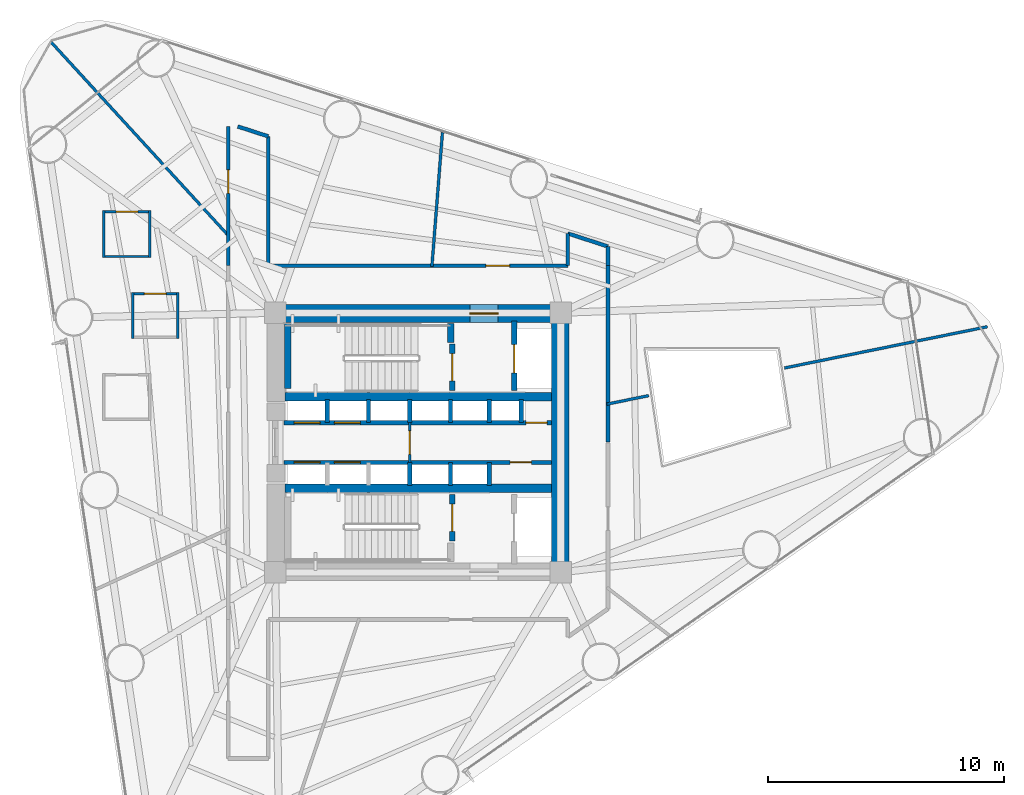
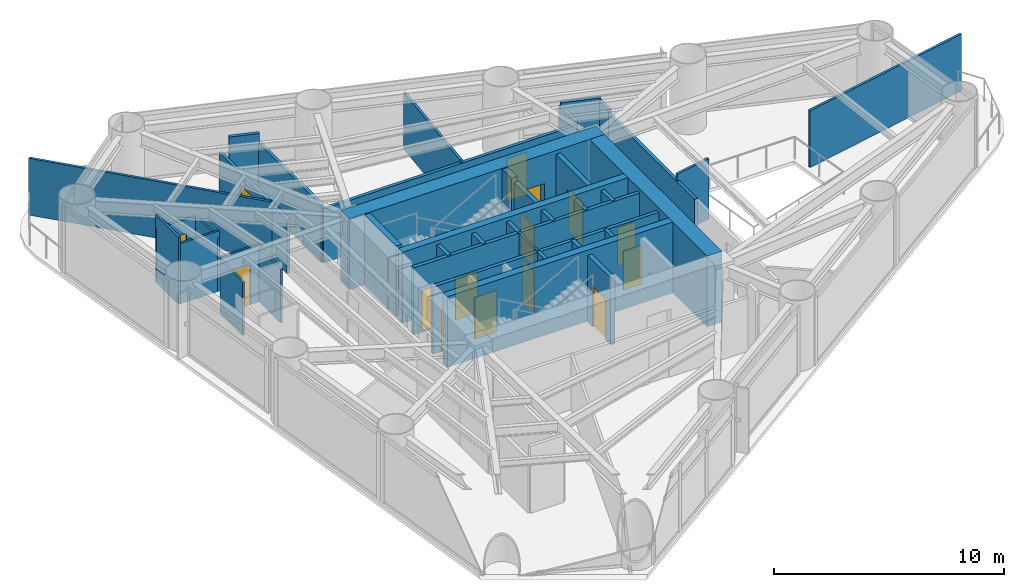
# One storey, part 6 of 9: 40 walls, 15 doors, 15 openings.
"""IFC4 building model written with IfcOpenShell, lengths in metres."""

import ifcopenshell
import ifcopenshell.guid

model = None  # the IFC model being written
_history = None  # IfcOwnerHistory: only IFC2X3 demands one
_inside = {}  # id of a spatial element -> (the spatial element, [elements in it])
_under = {}  # id of a project, library or spatial element -> (it, [spatial elements below it])
_declared = {}  # id of a project -> (the project, [libraries it declares])
_typed = {}  # id of a type object -> (the type object, [elements of that type])
_made_of = {}  # id of a material, layer set ... -> (it, [elements and type objects made of it])


def new_model(schema):
    """Start an empty IFC model of exactly this schema.

    Asked for "IFC4X3", IfcOpenShell would pick the latest addendum, in which some entities
    have other attributes; the version numbers below select the first issue.
    IFC2X3 requires an IfcOwnerHistory on every rooted entity: one is made here for all.
    """
    global model, _history
    if schema == "IFC4X3":
        model = ifcopenshell.file(schema_version=(4, 3, 0, 0))
    else:
        model = ifcopenshell.file(schema=schema)
    _inside.clear()
    _under.clear()
    _declared.clear()
    _typed.clear()
    _made_of.clear()
    _history = None
    if model.schema == "IFC2X3":
        org = make("IfcOrganization", Name="unknown")
        user = make(
            "IfcPersonAndOrganization",
            ThePerson=make("IfcPerson", FamilyName="unknown"),
            TheOrganization=org,
        )
        app = make(
            "IfcApplication",
            ApplicationDeveloper=org,
            Version="unknown",
            ApplicationFullName="unknown",
            ApplicationIdentifier="unknown",
        )
        _history = make(
            "IfcOwnerHistory",
            OwningUser=user,
            OwningApplication=app,
            ChangeAction="ADDED",
            CreationDate=0,
        )
    return model


def make(cls, **values):
    """One entity of the class cls with the attributes given. An attribute that is None is left unset."""
    return model.create_entity(
        cls, **{name: value for name, value in values.items() if value is not None}
    )


def rooted(cls, **values):
    """An entity with a GlobalId (a new one), such as an element, a storey or a relation."""
    return make(cls, GlobalId=ifcopenshell.guid.new(), OwnerHistory=_history, **values)


def si_unit(unit_type, name, prefix=None):
    """IfcSIUnit, for example si_unit("LENGTHUNIT", "METRE", prefix="MILLI")."""
    return make("IfcSIUnit", UnitType=unit_type, Prefix=prefix, Name=name)


def assignment(units):
    """IfcUnitAssignment: the units of a project."""
    return None if units is None else make("IfcUnitAssignment", Units=units)


def point(xyz):
    """IfcCartesianPoint."""
    return None if xyz is None else make("IfcCartesianPoint", Coordinates=xyz)


def direction(xyz):
    """IfcDirection."""
    return None if xyz is None else make("IfcDirection", DirectionRatios=xyz)


def frame(location, z_axis=None, x_axis=None):
    """IfcAxis2Placement3D, a coordinate frame: its origin and axes. An axis left out is left unset."""
    return make(
        "IfcAxis2Placement3D",
        Location=point(location),
        Axis=direction(z_axis),
        RefDirection=direction(x_axis),
    )


def frame_2d(location, x_axis=None):
    """IfcAxis2Placement2D, a coordinate frame in the plane: its origin and x axis."""
    return make(
        "IfcAxis2Placement2D", Location=point(location), RefDirection=direction(x_axis)
    )


def origin():
    """The frame at (0, 0, 0) with its axes left unset."""
    return frame((0.0, 0.0, 0.0))


def place(relative_to, where):
    """IfcLocalPlacement: puts the frame where relative to a parent placement (None: the world)."""
    return make(
        "IfcLocalPlacement", PlacementRelTo=relative_to, RelativePlacement=where
    )


def context(
    kind, dimensions, precision=None, world=None, true_north=None, identifier=None
):
    """IfcGeometricRepresentationContext, for example the 3D "Model" context."""
    return make(
        "IfcGeometricRepresentationContext",
        ContextIdentifier=identifier,
        ContextType=kind,
        CoordinateSpaceDimension=dimensions,
        Precision=precision,
        WorldCoordinateSystem=world,
        TrueNorth=true_north,
    )


def subcontext(parent, identifier, kind, view, scale=None):
    """IfcGeometricRepresentationSubContext, for example "Body" below "Model"."""
    return make(
        "IfcGeometricRepresentationSubContext",
        ContextIdentifier=identifier,
        ContextType=kind,
        ParentContext=parent,
        TargetScale=scale,
        TargetView=view,
    )


def project(units=None, contexts=None):
    """IfcProject with its units and contexts."""
    return rooted(
        "IfcProject",
        Name="project",
        RepresentationContexts=contexts,
        UnitsInContext=assignment(units),
    )


def spatial(cls, under=None, at=None, **own):
    """A site, building, storey or space (cls), placed at a placement, below another one or the project."""
    s = rooted(cls, ObjectPlacement=at, **own)
    if under is not None:
        _under.setdefault(under.id(), (under, []))[1].append(s)
    return s


def profile(cls, at=None, kind="AREA", **sizes):
    """A parametric profile (cls). Its sizes go by their IFC names, for example OverallWidth=200.0."""
    return make(cls, ProfileType=kind, Position=at, **sizes)


def rectangle(**sizes):
    """IfcRectangleProfileDef."""
    return profile("IfcRectangleProfileDef", **sizes)


def extrude(swept, where, along, depth):
    """IfcExtrudedAreaSolid: the profile swept, set in the frame where, extruded along a direction by depth."""
    return make(
        "IfcExtrudedAreaSolid",
        SweptArea=swept,
        Position=where,
        ExtrudedDirection=direction(along),
        Depth=depth,
    )


def shape(context_of_items, identifier, shape_type, items):
    """IfcShapeRepresentation: the items that make up one representation, for example the "Body"."""
    return make(
        "IfcShapeRepresentation",
        ContextOfItems=context_of_items,
        RepresentationIdentifier=identifier,
        RepresentationType=shape_type,
        Items=items,
    )


def material(Name=None, Category=None):
    """IfcMaterial."""
    return make("IfcMaterial", Name=Name, Category=Category)


def layer(
    of_material, thickness, ventilated=None, Name=None, Category=None, Priority=None
):
    """IfcMaterialLayer: one layer of a wall or slab, of a material (None: an air gap)."""
    return make(
        "IfcMaterialLayer",
        Material=of_material,
        LayerThickness=thickness,
        IsVentilated=ventilated,
        Name=Name,
        Category=Category,
        Priority=Priority,
    )


def layer_set(layers, Name=None):
    """IfcMaterialLayerSet."""
    return make("IfcMaterialLayerSet", MaterialLayers=layers, LayerSetName=Name)


def made_of(thing, what):
    """Note that an element or type object is made of a material, layer set ...; save() writes the relation."""
    if what is not None:
        _made_of.setdefault(what.id(), (what, []))[1].append(thing)
    return thing


def type_object(cls, material=None, **own):
    """A type object (cls), such as IfcWallType, which elements share."""
    return made_of(rooted(cls, **own), material)


def element(
    cls,
    number,
    at=None,
    inside=None,
    cuts=None,
    type_object=None,
    material=None,
    context=None,
    identifier="Body",
    shape_type=None,
    held_by="IfcProductDefinitionShape",
    body=None,
    shapes=None,
    **own,
):
    """One element of the class cls, such as IfcWall. Its Tag is "e" and its number.

    at: its placement. inside: the storey or other place that contains it. cuts: it is an
    opening in that element (IfcRelVoidsElement). A single representation is given by context,
    identifier, shape_type and body (its items); several are given by shapes. held_by: the class
    of the entity that holds the representations. save() writes the other relations.
    """
    e = rooted(cls, Tag="e%d" % number, ObjectPlacement=at, **own)
    if body is not None:
        shapes = [shape(context, identifier, shape_type, body)]
    if shapes is not None:
        e.Representation = make(held_by, Representations=shapes)
    if inside is not None:
        _inside.setdefault(inside.id(), (inside, []))[1].append(e)
    if cuts is not None:
        rooted(
            "IfcRelVoidsElement", RelatingBuildingElement=cuts, RelatedOpeningElement=e
        )
    if type_object is not None:
        _typed.setdefault(type_object.id(), (type_object, []))[1].append(e)
    return made_of(e, material)


def fill(opening, filler):
    """IfcRelFillsElement: the door or window that sits in an opening."""
    return rooted(
        "IfcRelFillsElement",
        RelatingOpeningElement=opening,
        RelatedBuildingElement=filler,
    )


def aggregate(whole, parts):
    """IfcRelAggregates: a whole, such as a stair, and the parts it consists of."""
    return rooted("IfcRelAggregates", RelatingObject=whole, RelatedObjects=parts)


def save(model, path):
    """Write the relations noted so far, then the file.

    IfcRelAggregates (storeys below a building ...), IfcRelContainedInSpatialStructure (elements
    in a storey), IfcRelDefinesByType, IfcRelAssociatesMaterial and IfcRelDeclares: one each for
    every whole, place, type object, material and project.
    """
    for whole, parts in _under.values():
        aggregate(whole, parts)
    for where, things in _inside.values():
        rooted(
            "IfcRelContainedInSpatialStructure",
            RelatedElements=things,
            RelatingStructure=where,
        )
    for kind, things in _typed.values():
        rooted("IfcRelDefinesByType", RelatedObjects=things, RelatingType=kind)
    for what, things in _made_of.values():
        rooted("IfcRelAssociatesMaterial", RelatedObjects=things, RelatingMaterial=what)
    for by, libraries in _declared.values():
        rooted("IfcRelDeclares", RelatingContext=by, RelatedDefinitions=libraries)
    model.write(path)


model = new_model("IFC4")

# Units and contexts
model_context = context("Model", 3, precision=1e-05, world=origin(), true_north=direction((0.0, 1.0)))
body_context = subcontext(model_context, "Body", "Model", "MODEL_VIEW")
ifc_project = project(units=[si_unit("LENGTHUNIT", "METRE"), si_unit("AREAUNIT", "SQUARE_METRE"), si_unit("VOLUMEUNIT", "CUBIC_METRE"), si_unit("PLANEANGLEUNIT", "RADIAN"), si_unit("MASSUNIT", "GRAM", prefix="KILO")], contexts=[model_context])

# Site, building, storey
site_placement = place(None, origin())
site = spatial("IfcSite", under=ifc_project, at=site_placement, CompositionType="ELEMENT")
building_placement = place(site_placement, origin())
building = spatial("IfcBuilding", under=site, at=building_placement, Name="Yunling Apex Tower", CompositionType="ELEMENT")
storey_placement = place(building_placement, frame((0.0, 0.0, 62.300048828125)))
storey = spatial("IfcBuildingStorey", under=building, at=storey_placement, Name="L16", CompositionType="ELEMENT", Elevation=62.300048828125)

# Wall, opening, door
ifc_material_1 = material(Name="Concrete C60", Category="concrete")
ifc_layer_1 = layer(ifc_material_1, 0.75)
ifc_layer_set_1 = layer_set([ifc_layer_1], Name="Concrete C60")
wall_type_1 = type_object("IfcWallType", Name="WL-COR-1", PredefinedType="SHEAR", material=ifc_layer_set_1)
wall_1_placement = place(storey_placement, frame((-6.39990234375, 5.47509765625, 0.0), z_axis=(0.0, 0.0, 1.0), x_axis=(1.0, 0.0, 0.0)))
wall_1 = element("IfcWall", 1, at=wall_1_placement, inside=storey, type_object=wall_type_1, Name="L16 North Core Shear Wall", PredefinedType="SHEAR", context=body_context, shape_type="SweptSolid", body=[
    extrude(rectangle(XDim=12.7998046875, YDim=0.75, at=frame_2d((6.39990234375, 0.0))), origin(), (0.0, 0.0, 1.0), 3.75),
])
opening_1_placement = place(wall_1_placement, frame((8.60009765625, 0.0, 0.0)))
opening_1 = element("IfcOpeningElement", 2, at=opening_1_placement, cuts=wall_1, Name="Opening DR-FFL-1", PredefinedType="OPENING", context=body_context, shape_type="SweptSolid", body=[
    extrude(rectangle(XDim=1.199951171875, YDim=2.199951171875, at=frame_2d((0.60009765625, 1.10009765625))), frame((0.0, 0.385009765625, 0.0), z_axis=(0.0, -1.0, 0.0), x_axis=(1.0, 0.0, 0.0)), (0.0, 0.0, 1.0), 0.77001953125),
])
ifc_material_2 = material(Name="Steel Q355B", Category="steel")
door_type_1 = type_object("IfcDoorType", Name="DR-FFL-1", OperationType="NOTDEFINED", PredefinedType="DOOR", material=ifc_material_2)
door_1_placement = place(opening_1_placement, origin())
door_1 = element("IfcDoor", 3, at=door_1_placement, inside=storey, type_object=door_type_1, Name="L16 North Firefighting Lobby Door", OperationType="SINGLE_SWING_LEFT", OverallHeight=2.199951171875, OverallWidth=1.199951171875, PredefinedType="DOOR", context=body_context, shape_type="SweptSolid", body=[
    extrude(rectangle(XDim=1.199951171875, YDim=2.199951171875, at=frame_2d((0.60009765625, 1.10009765625))), frame((0.0, 0.02490234375, 0.0), z_axis=(0.0, -1.0, 0.0), x_axis=(1.0, 0.0, 0.0)), (0.0, 0.0, 1.0), 0.050048828125),
])
fill(opening_1, door_1)

# Walls
wall_2_placement = place(storey_placement, frame((6.02490234375, -5.10009765625, 0.0), z_axis=(0.0, 0.0, 1.0), x_axis=(0.0, 1.0, 0.0)))
element("IfcWall", 4, at=wall_2_placement, inside=storey, type_object=wall_type_1, Name="L16 East Core Shear Wall", PredefinedType="SHEAR", context=body_context, shape_type="SweptSolid", body=[
    extrude(rectangle(XDim=10.2001953125, YDim=0.75, at=frame_2d((5.10009765625, 0.0))), origin(), (0.0, 0.0, 1.0), 3.75),
])
ifc_material_3 = material(Name="Concrete C40", Category="concrete")
ifc_layer_2 = layer(ifc_material_3, 0.360107421875)
ifc_layer_set_2 = layer_set([ifc_layer_2], Name="Concrete C40")
wall_type_2 = type_object("IfcWallType", Name="WL-COR-4", PredefinedType="SHEAR", material=ifc_layer_set_2)
for number, where, z_axis, x_axis, name in (
    (5, (-5.64990234375, 1.93994140625, 0.0), (0.0, 0.0, 1.0), (1.0, 0.0, 0.0), "L16 North Internal Core Shear Wall"),
    (6, (-5.64990234375, -1.93994140625, 0.0), (0.0, 0.0, 1.0), (1.0, 0.0, 0.0), "L16 South Internal Core Shear Wall"),
):
    element("IfcWall", number, at=place(storey_placement, frame(where, z_axis=z_axis, x_axis=x_axis)), inside=storey, type_object=wall_type_2, Name=name, PredefinedType="SHEAR", context=body_context, shape_type="SweptSolid", body=[
        extrude(rectangle(XDim=11.2998046875, YDim=0.360107421875, at=frame_2d((5.64990234375, 0.0))), origin(), (0.0, 0.0, 1.0), 3.75),
    ])
ifc_layer_3 = layer(ifc_material_3, 0.280029296875)
ifc_layer_set_3 = layer_set([ifc_layer_3], Name="Concrete C40")
wall_type_3 = type_object("IfcWallType", Name="WL-COR-8", PredefinedType="SHEAR", material=ifc_layer_set_3)
wall_3_placement = place(storey_placement, frame((-5.52001953125, 2.300048828125, 0.0), z_axis=(0.0, 0.0, 1.0), x_axis=(0.0, 1.0, 0.0)))
element("IfcWall", 7, at=wall_3_placement, inside=storey, type_object=wall_type_3, Name="L16 ST-1 West Landing Bearing Wall", PredefinedType="SHEAR", context=body_context, shape_type="SweptSolid", body=[
    extrude(rectangle(XDim=2.75, YDim=0.280029296875, at=frame_2d((1.375, 0.0))), origin(), (0.0, 0.0, 1.0), 3.75),
])
wall_4_placement = place(storey_placement, frame((1.3798828125, 4.25, 0.0), z_axis=(0.0, 0.0, 1.0), x_axis=(0.0, 1.0, 0.0)))
element("IfcWall", 8, at=wall_4_placement, inside=storey, type_object=wall_type_3, Name="L16 ST-1 East Landing Bearing Pier", PredefinedType="SHEAR", context=body_context, shape_type="SweptSolid", body=[
    extrude(rectangle(XDim=0.800048828125, YDim=0.280029296875, at=frame_2d((0.39990234375, 0.0))), origin(), (0.0, 0.0, 1.0), 3.75),
])

# Wall, opening, door
ifc_material_4 = material(Name="Gypsum board acoustic partition")
ifc_layer_4 = layer(ifc_material_4, 0.159912109375)
ifc_layer_set_4 = layer_set([ifc_layer_4], Name="Gypsum board acoustic partition")
wall_type_4 = type_object("IfcWallType", Name="WL-PRT-1", PredefinedType="PARTITIONING", material=ifc_layer_set_4)
wall_5_placement = place(storey_placement, frame((-8.050048828125, 7.5, 0.0), z_axis=(0.0, 0.0, 1.0), x_axis=(0.0, 1.0, 0.0)))
wall_5 = element("IfcWall", 9, at=wall_5_placement, inside=storey, type_object=wall_type_4, Name="WL-CORR-L16-03", PredefinedType="PARTITIONING", context=body_context, shape_type="SweptSolid", body=[
    extrude(rectangle(XDim=5.89990234375, YDim=0.159912109375, at=frame_2d((2.949951171875, 0.0))), origin(), (0.0, 0.0, 1.0), 2.849853515625),
])
opening_2_placement = place(wall_5_placement, frame((3.061279296875, 0.0, 0.0)))
opening_2 = element("IfcOpeningElement", 10, at=opening_2_placement, cuts=wall_5, Name="Opening DR-OFF-1", PredefinedType="OPENING", context=body_context, shape_type="SweptSolid", body=[
    extrude(rectangle(XDim=1.0, YDim=2.25, at=frame_2d((0.5, 1.125))), frame((0.0, 0.08984375, 0.0), z_axis=(0.0, -1.0, 0.0), x_axis=(1.0, 0.0, 0.0)), (0.0, 0.0, 1.0), 0.179931640625),
])
ifc_material_5 = material(Name="Bronze anodised aluminium", Category="aluminium")
door_type_2 = type_object("IfcDoorType", Name="DR-OFF-1", OperationType="NOTDEFINED", PredefinedType="DOOR", material=ifc_material_5)
door_2_placement = place(opening_2_placement, origin())
door_2 = element("IfcDoor", 11, at=door_2_placement, inside=storey, type_object=door_type_2, Name="L16 Staff Pantry Kitchen Door", OperationType="SINGLE_SWING_RIGHT", OverallHeight=2.25, OverallWidth=1.0, PredefinedType="DOOR", context=body_context, shape_type="SweptSolid", body=[
    extrude(rectangle(XDim=1.0, YDim=2.25, at=frame_2d((0.5, 1.125))), frame((0.0, 0.02490234375, 0.0), z_axis=(0.0, -1.0, 0.0), x_axis=(1.0, 0.0, 0.0)), (0.0, 0.0, 1.0), 0.050048828125),
])
fill(opening_2, door_2)

# Walls
wall_6_placement = place(storey_placement, frame((-7.64111328125, 13.39990234375, 0.0), z_axis=(0.0, 0.0, 1.0), x_axis=(0.951277022007, -0.308337521884, 0.0)))
element("IfcWall", 12, at=wall_6_placement, inside=storey, type_object=wall_type_4, Name="WL-CORR-L16-05", PredefinedType="PARTITIONING", context=body_context, shape_type="SweptSolid", body=[
    extrude(rectangle(XDim=1.357177734375, YDim=0.159912109375, at=frame_2d((0.6787109375, 0.0))), origin(), (0.0, 0.0, 1.0), 3.544921875),
])
wall_7_placement = place(storey_placement, frame((-6.35009765625, 12.9814453125, 0.0), z_axis=(0.0, 0.0, 1.0), x_axis=(0.0, -1.0, 0.0)))
element("IfcWall", 13, at=wall_7_placement, inside=storey, type_object=wall_type_4, Name="WL-CORR-L16-06", PredefinedType="PARTITIONING", context=body_context, shape_type="SweptSolid", body=[
    extrude(rectangle(XDim=5.4814453125, YDim=0.159912109375, at=frame_2d((2.74072265625, 0.0))), origin(), (0.0, 0.0, 1.0), 3.050048828125),
])

# Wall, opening, door
wall_8_placement = place(storey_placement, frame((-6.35009765625, 7.5, 0.0), z_axis=(0.0, 0.0, 1.0), x_axis=(1.0, 0.0, 0.0)))
wall_8 = element("IfcWall", 14, at=wall_8_placement, inside=storey, type_object=wall_type_4, Name="WL-CORR-L16-07", PredefinedType="PARTITIONING", context=body_context, shape_type="SweptSolid", body=[
    extrude(rectangle(XDim=12.7001953125, YDim=0.159912109375, at=frame_2d((6.35009765625, 0.0))), origin(), (0.0, 0.0, 1.0), 2.849853515625),
])
opening_3_placement = place(wall_8_placement, frame((9.229248046875, 0.0, 0.0)))
opening_3 = element("IfcOpeningElement", 15, at=opening_3_placement, cuts=wall_8, Name="Opening DR-OFF-1", PredefinedType="OPENING", context=body_context, shape_type="SweptSolid", body=[
    extrude(rectangle(XDim=1.0, YDim=2.25, at=frame_2d((0.5, 1.125))), frame((0.0, 0.08984375, 0.0), z_axis=(0.0, -1.0, 0.0), x_axis=(1.0, 0.0, 0.0)), (0.0, 0.0, 1.0), 0.179931640625),
])
door_3_placement = place(opening_3_placement, origin())
door_3 = element("IfcDoor", 16, at=door_3_placement, inside=storey, type_object=door_type_2, Name="L16 Staff Pantry Kitchen Door", OperationType="SINGLE_SWING_LEFT", OverallHeight=2.25, OverallWidth=1.0, PredefinedType="DOOR", context=body_context, shape_type="SweptSolid", body=[
    extrude(rectangle(XDim=1.0, YDim=2.25, at=frame_2d((0.5, 1.125))), frame((0.0, 0.02490234375, 0.0), z_axis=(0.0, -1.0, 0.0), x_axis=(1.0, 0.0, 0.0)), (0.0, 0.0, 1.0), 0.050048828125),
])
fill(opening_3, door_3)

# Walls
wall_9_placement = place(storey_placement, frame((6.35009765625, 7.5, 0.0), z_axis=(0.0, 0.0, 1.0), x_axis=(0.0, 1.0, 0.0)))
element("IfcWall", 17, at=wall_9_placement, inside=storey, type_object=wall_type_4, Name="WL-CORR-L16-08", PredefinedType="PARTITIONING", context=body_context, shape_type="SweptSolid", body=[
    extrude(rectangle(XDim=1.36474609375, YDim=0.159912109375, at=frame_2d((0.682373046875, 0.0))), origin(), (0.0, 0.0, 1.0), 3.050048828125),
])
wall_10_placement = place(storey_placement, frame((6.35009765625, 8.86474609375, 0.0), z_axis=(0.0, 0.0, 1.0), x_axis=(0.951273733128, -0.308347668486, 0.0)))
element("IfcWall", 18, at=wall_10_placement, inside=storey, type_object=wall_type_4, Name="WL-CORR-L16-09", PredefinedType="PARTITIONING", context=body_context, shape_type="SweptSolid", body=[
    extrude(rectangle(XDim=1.787109375, YDim=0.159912109375, at=frame_2d((0.8935546875, 0.0))), origin(), (0.0, 0.0, 1.0), 3.199951171875),
])
wall_11_placement = place(storey_placement, frame((8.050048828125, 8.313720703125, 0.0), z_axis=(0.0, 0.0, 1.0), x_axis=(0.0, -1.0, 0.0)))
element("IfcWall", 19, at=wall_11_placement, inside=storey, type_object=wall_type_4, Name="WL-CORR-L16-10", PredefinedType="PARTITIONING", context=body_context, shape_type="SweptSolid", body=[
    extrude(rectangle(XDim=0.813720703125, YDim=0.159912109375, at=frame_2d((0.40673828125, 0.0))), origin(), (0.0, 0.0, 1.0), 3.050048828125),
])
wall_12_placement = place(storey_placement, frame((8.050048828125, 7.5, 0.0), z_axis=(0.0, 0.0, 1.0), x_axis=(0.0, -1.0, 0.0)))
element("IfcWall", 20, at=wall_12_placement, inside=storey, type_object=wall_type_4, Name="WL-CORR-L16-11", PredefinedType="PARTITIONING", context=body_context, shape_type="SweptSolid", body=[
    extrude(rectangle(XDim=7.47998046875, YDim=0.159912109375, at=frame_2d((3.739990234375, 0.0))), origin(), (0.0, 0.0, 1.0), 2.849853515625),
])
ifc_layer_5 = layer(ifc_material_4, 0.1201171875)
ifc_layer_set_5 = layer_set([ifc_layer_5], Name="Gypsum board acoustic partition")
wall_type_5 = type_object("IfcWallType", Name="WL-PRT-3", PredefinedType="PARTITIONING", material=ifc_layer_set_5)
wall_13_placement = place(storey_placement, frame((0.587158203125, 7.4599609375, 0.0), z_axis=(0.0, 0.0, 1.0), x_axis=(0.078455369282, 0.996917627004, 0.0)))
element("IfcWall", 21, at=wall_13_placement, inside=storey, type_object=wall_type_5, Name="WL-RAD-L16-01", PredefinedType="PARTITIONING", context=body_context, shape_type="SweptSolid", body=[
    extrude(rectangle(XDim=5.710205078125, YDim=0.1201171875, at=frame_2d((2.85498046875, 0.0))), origin(), (0.0, 0.0, 1.0), 3.010009765625),
])
wall_14_placement = place(storey_placement, frame((-8.010009765625, 8.741455078125, 0.0), z_axis=(0.0, 0.0, 1.0), x_axis=(-0.675595196102, 0.737272765674, 0.0)))
element("IfcWall", 22, at=wall_14_placement, inside=storey, type_object=wall_type_5, Name="WL-RAD-L16-02", PredefinedType="PARTITIONING", context=body_context, shape_type="SweptSolid", body=[
    extrude(rectangle(XDim=11.190185546875, YDim=0.1201171875, at=frame_2d((5.59521484375, 0.0))), origin(), (0.0, 0.0, 1.0), 3.010009765625),
])
wall_15_placement = place(storey_placement, frame((8.010009765625, 1.629638671875, 0.0), z_axis=(0.0, 0.0, 1.0), x_axis=(0.979916112173, 0.199410162989, 0.0)))
element("IfcWall", 23, at=wall_15_placement, inside=storey, type_object=wall_type_5, Name="WL-RAD-L16-06", PredefinedType="PARTITIONING", context=body_context, shape_type="SweptSolid", body=[
    extrude(rectangle(XDim=1.8095703125, YDim=0.1201171875, at=frame_2d((0.90478515625, 0.0))), origin(), (0.0, 0.0, 1.0), 3.2099609375),
])
wall_16_placement = place(storey_placement, frame((15.533447265625, 3.160400390625, 0.0), z_axis=(0.0, 0.0, 1.0), x_axis=(0.979928377953, 0.199349878562, 0.0)))
element("IfcWall", 24, at=wall_16_placement, inside=storey, type_object=wall_type_5, Name="WL-RAD-L16-07", PredefinedType="PARTITIONING", context=body_context, shape_type="SweptSolid", body=[
    extrude(rectangle(XDim=8.781005859375, YDim=0.1201171875, at=frame_2d((4.390625, 0.0))), origin(), (0.0, 0.0, 1.0), 3.010009765625),
])

# Wall, opening, door
ifc_layer_6 = layer(ifc_material_4, 0.10009765625)
ifc_layer_set_6 = layer_set([ifc_layer_6], Name="Gypsum board acoustic partition")
wall_type_6 = type_object("IfcWallType", Name="WL-PRT-4", PredefinedType="PARTITIONING", material=ifc_layer_set_6)
wall_17_placement = place(storey_placement, frame((-0.35009765625, -0.840087890625, 0.0), z_axis=(0.0, 0.0, 1.0), x_axis=(0.0, 1.0, 0.0)))
wall_17 = element("IfcWall", 25, at=wall_17_placement, inside=storey, type_object=wall_type_6, Name="WL-LOB-MID-L16", PredefinedType="PARTITIONING", context=body_context, shape_type="SweptSolid", body=[
    extrude(rectangle(XDim=1.68017578125, YDim=0.10009765625, at=frame_2d((0.840087890625, 0.0))), origin(), (0.0, 0.0, 1.0), 3.544921875),
])
opening_4_placement = place(wall_17_placement, frame((0.340087890625, 0.0, 0.0)))
opening_4 = element("IfcOpeningElement", 26, at=opening_4_placement, cuts=wall_17, Name="Opening DR-OFF-1", PredefinedType="OPENING", context=body_context, shape_type="SweptSolid", body=[
    extrude(rectangle(XDim=1.0, YDim=2.25, at=frame_2d((0.5, 1.125))), frame((0.0, 0.06005859375, 0.0), z_axis=(0.0, -1.0, 0.0), x_axis=(1.0, 0.0, 0.0)), (0.0, 0.0, 1.0), 0.1201171875),
])
door_4_placement = place(opening_4_placement, origin())
door_4 = element("IfcDoor", 27, at=door_4_placement, inside=storey, type_object=door_type_2, Name="L16 Core Lobby Link Door", OperationType="SINGLE_SWING_RIGHT", OverallHeight=2.25, OverallWidth=1.0, PredefinedType="DOOR", context=body_context, shape_type="SweptSolid", body=[
    extrude(rectangle(XDim=1.0, YDim=2.25, at=frame_2d((0.5, 1.125))), frame((0.0, 0.02490234375, 0.0), z_axis=(0.0, -1.0, 0.0), x_axis=(1.0, 0.0, 0.0)), (0.0, 0.0, 1.0), 0.050048828125),
])
fill(opening_4, door_4)

wall_18_placement = place(storey_placement, frame((-13.366943359375, 9.787109375, 0.0), z_axis=(0.0, 0.0, 1.0), x_axis=(1.0, 0.0, 0.0)))
wall_18 = element("IfcWall", 28, at=wall_18_placement, inside=storey, type_object=wall_type_6, Name="WL-L16-WCFN", PredefinedType="PARTITIONING", context=body_context, shape_type="SweptSolid", body=[
    extrude(rectangle(XDim=2.050048828125, YDim=0.10009765625, at=frame_2d((1.02490234375, 0.0))), origin(), (0.0, 0.0, 1.0), 2.849853515625),
])
opening_5_placement = place(wall_18_placement, frame((0.56494140625, 0.0, 0.0)))
opening_5 = element("IfcOpeningElement", 29, at=opening_5_placement, cuts=wall_18, Name="Opening DR-WC-1", PredefinedType="OPENING", context=body_context, shape_type="SweptSolid", body=[
    extrude(rectangle(XDim=0.919921875, YDim=2.10009765625, at=frame_2d((0.4599609375, 1.050048828125))), frame((0.0, 0.06005859375, 0.0), z_axis=(0.0, -1.0, 0.0), x_axis=(1.0, 0.0, 0.0)), (0.0, 0.0, 1.0), 0.1201171875),
])
ifc_material_6 = material(Name="Timber moisture-resistant leaf", Category="wood")
door_type_3 = type_object("IfcDoorType", Name="DR-WC-1", OperationType="NOTDEFINED", PredefinedType="DOOR", material=ifc_material_6)
door_5_placement = place(opening_5_placement, origin())
door_5 = element("IfcDoor", 30, at=door_5_placement, inside=storey, type_object=door_type_3, Name="L16 Female Toilet Door", OperationType="SINGLE_SWING_RIGHT", OverallHeight=2.10009765625, OverallWidth=0.919921875, PredefinedType="DOOR", context=body_context, shape_type="SweptSolid", body=[
    extrude(rectangle(XDim=0.919921875, YDim=2.10009765625, at=frame_2d((0.4599609375, 1.050048828125))), frame((0.0, 0.02490234375, 0.0), z_axis=(0.0, -1.0, 0.0), x_axis=(1.0, 0.0, 0.0)), (0.0, 0.0, 1.0), 0.050048828125),
])
fill(opening_5, door_5)

# Walls
wall_19_placement = place(storey_placement, frame((-11.31689453125, 7.886962890625, 0.0), z_axis=(0.0, 0.0, 1.0), x_axis=(-1.0, 0.0, 0.0)))
element("IfcWall", 31, at=wall_19_placement, inside=storey, type_object=wall_type_6, Name="WL-L16-WCFS", PredefinedType="PARTITIONING", context=body_context, shape_type="SweptSolid", body=[
    extrude(rectangle(XDim=2.050048828125, YDim=0.10009765625, at=frame_2d((1.02490234375, 0.0))), origin(), (0.0, 0.0, 1.0), 3.199951171875),
])
wall_20_placement = place(storey_placement, frame((-11.366943359375, 9.8369140625, 0.0), z_axis=(0.0, 0.0, 1.0), x_axis=(0.0, -1.0, 0.0)))
element("IfcWall", 32, at=wall_20_placement, inside=storey, type_object=wall_type_6, Name="WL-L16-WCFE", PredefinedType="PARTITIONING", context=body_context, shape_type="SweptSolid", body=[
    extrude(rectangle(XDim=2.0, YDim=0.10009765625, at=frame_2d((1.0, 0.0))), origin(), (0.0, 0.0, 1.0), 2.849853515625),
])
wall_21_placement = place(storey_placement, frame((-13.31689453125, 7.8369140625, 0.0), z_axis=(0.0, 0.0, 1.0), x_axis=(0.0, 1.0, 0.0)))
element("IfcWall", 33, at=wall_21_placement, inside=storey, type_object=wall_type_6, Name="WL-L16-WCFW", PredefinedType="PARTITIONING", context=body_context, shape_type="SweptSolid", body=[
    extrude(rectangle(XDim=2.0, YDim=0.10009765625, at=frame_2d((1.0, 0.0))), origin(), (0.0, 0.0, 1.0), 3.544921875),
])

# Wall, opening, door
wall_22_placement = place(storey_placement, frame((-12.14208984375, 6.30908203125, 0.0), z_axis=(0.0, 0.0, 1.0), x_axis=(1.0, 0.0, 0.0)))
wall_22 = element("IfcWall", 34, at=wall_22_placement, inside=storey, type_object=wall_type_6, Name="WL-L16-WCAN", PredefinedType="PARTITIONING", context=body_context, shape_type="SweptSolid", body=[
    extrude(rectangle(XDim=2.0, YDim=0.10009765625, at=frame_2d((1.0, 0.0))), origin(), (0.0, 0.0, 1.0), 3.050048828125),
])
opening_6_placement = place(wall_22_placement, frame((0.5400390625, 0.0, 0.0)))
opening_6 = element("IfcOpeningElement", 35, at=opening_6_placement, cuts=wall_22, Name="Opening DR-WC-1", PredefinedType="OPENING", context=body_context, shape_type="SweptSolid", body=[
    extrude(rectangle(XDim=0.919921875, YDim=2.10009765625, at=frame_2d((0.4599609375, 1.050048828125))), frame((0.0, 0.06005859375, 0.0), z_axis=(0.0, -1.0, 0.0), x_axis=(1.0, 0.0, 0.0)), (0.0, 0.0, 1.0), 0.1201171875),
])
door_6_placement = place(opening_6_placement, origin())
door_6 = element("IfcDoor", 36, at=door_6_placement, inside=storey, type_object=door_type_3, Name="L16 Accessible WC Door", OperationType="SINGLE_SWING_LEFT", OverallHeight=2.10009765625, OverallWidth=0.919921875, PredefinedType="DOOR", context=body_context, shape_type="SweptSolid", body=[
    extrude(rectangle(XDim=0.919921875, YDim=2.10009765625, at=frame_2d((0.4599609375, 1.050048828125))), frame((0.0, 0.02490234375, 0.0), z_axis=(0.0, -1.0, 0.0), x_axis=(1.0, 0.0, 0.0)), (0.0, 0.0, 1.0), 0.050048828125),
])
fill(opening_6, door_6)

# Walls
for number, where, z_axis, x_axis, name in (
    (37, (-10.19189453125, 6.35888671875, 0.0), (0.0, 0.0, 1.0), (0.0, -1.0, 0.0), "WL-L16-WCAE"),
    (38, (-12.092041015625, 4.408935546875, 0.0), (0.0, 0.0, 1.0), (0.0, 1.0, 0.0), "WL-L16-WCAW"),
):
    element("IfcWall", number, at=place(storey_placement, frame(where, z_axis=z_axis, x_axis=x_axis)), inside=storey, type_object=wall_type_6, Name=name, PredefinedType="PARTITIONING", context=body_context, shape_type="SweptSolid", body=[
        extrude(rectangle(XDim=1.949951171875, YDim=0.10009765625, at=frame_2d((0.97509765625, 0.0))), origin(), (0.0, 0.0, 1.0), 2.849853515625),
    ])

# Wall, opening, door
ifc_material_7 = material(Name="Autoclaved aerated concrete masonry", Category="masonry")
ifc_layer_7 = layer(ifc_material_7, 0.219970703125)
ifc_layer_set_7 = layer_set([ifc_layer_7], Name="Autoclaved aerated concrete masonry")
wall_type_7 = type_object("IfcWallType", Name="WL-SHF-1", PredefinedType="PLUMBINGWALL", material=ifc_layer_set_7)
wall_23_placement = place(storey_placement, frame((1.449951171875, 2.199951171875, 0.0), z_axis=(0.0, 0.0, 1.0), x_axis=(0.0, 1.0, 0.0)))
wall_23 = element("IfcWall", 39, at=wall_23_placement, inside=storey, type_object=wall_type_7, Name="WL-ST1-E-L16", PredefinedType="PLUMBINGWALL", context=body_context, shape_type="SweptSolid", body=[
    extrude(rectangle(XDim=1.97998046875, YDim=0.219970703125, at=frame_2d((0.989990234375, 0.0))), origin(), (0.0, 0.0, 1.0), 3.544921875),
])
opening_7_placement = place(wall_23_placement, frame((0.419921875, 0.0, 0.0)))
opening_7 = element("IfcOpeningElement", 40, at=opening_7_placement, cuts=wall_23, Name="Opening DR-ST-1", PredefinedType="OPENING", context=body_context, shape_type="SweptSolid", body=[
    extrude(rectangle(XDim=1.14990234375, YDim=2.14990234375, at=frame_2d((0.574951171875, 1.074951171875))), frame((0.0, 0.1201171875, 0.0), z_axis=(0.0, -1.0, 0.0), x_axis=(1.0, 0.0, 0.0)), (0.0, 0.0, 1.0), 0.239990234375),
])
door_type_4 = type_object("IfcDoorType", Name="DR-ST-1", OperationType="NOTDEFINED", PredefinedType="DOOR", material=ifc_material_2)
door_7_placement = place(opening_7_placement, origin())
door_7 = element("IfcDoor", 41, at=door_7_placement, inside=storey, type_object=door_type_4, Name="L16 Stair ST-1 Fire Door", OperationType="SINGLE_SWING_RIGHT", OverallHeight=2.14990234375, OverallWidth=1.14990234375, PredefinedType="DOOR", context=body_context, shape_type="SweptSolid", body=[
    extrude(rectangle(XDim=1.14990234375, YDim=2.14990234375, at=frame_2d((0.574951171875, 1.074951171875))), frame((0.0, 0.02490234375, 0.0), z_axis=(0.0, -1.0, 0.0), x_axis=(1.0, 0.0, 0.0)), (0.0, 0.0, 1.0), 0.050048828125),
])
fill(opening_7, door_7)

wall_24_placement = place(storey_placement, frame((4.080078125, 2.199951171875, 0.0), z_axis=(0.0, 0.0, 1.0), x_axis=(0.0, 1.0, 0.0)))
wall_24 = element("IfcWall", 42, at=wall_24_placement, inside=storey, type_object=wall_type_7, Name="WL-FFL1-W-L16", PredefinedType="PLUMBINGWALL", context=body_context, shape_type="SweptSolid", body=[
    extrude(rectangle(XDim=2.949951171875, YDim=0.219970703125, at=frame_2d((1.47509765625, 0.0))), origin(), (0.0, 0.0, 1.0), 3.544921875),
])
opening_8_placement = place(wall_24_placement, frame((0.75, 0.0, 0.0)))
opening_8 = element("IfcOpeningElement", 43, at=opening_8_placement, cuts=wall_24, Name="Opening LD-FFL-1", PredefinedType="OPENING", context=body_context, shape_type="SweptSolid", body=[
    extrude(rectangle(XDim=1.199951171875, YDim=2.25, at=frame_2d((0.60009765625, 1.125))), frame((0.0, 0.1201171875, 0.0), z_axis=(0.0, -1.0, 0.0), x_axis=(1.0, 0.0, 0.0)), (0.0, 0.0, 1.0), 0.239990234375),
])
door_type_5 = type_object("IfcDoorType", Name="LD-FFL-1", OperationType="DOUBLE_DOOR_SLIDING", PredefinedType="DOOR", material=ifc_material_2)
door_8_placement = place(opening_8_placement, origin())
door_8 = element("IfcDoor", 44, at=door_8_placement, inside=storey, type_object=door_type_5, Name="L16 Lift FFL-1 Landing Door", OperationType="DOUBLE_DOOR_SLIDING", OverallHeight=2.25, OverallWidth=1.199951171875, PredefinedType="DOOR", context=body_context, shape_type="SweptSolid", body=[
    extrude(rectangle(XDim=1.199951171875, YDim=2.25, at=frame_2d((0.60009765625, 1.125))), frame((0.0, 0.02490234375, 0.0), z_axis=(0.0, -1.0, 0.0), x_axis=(1.0, 0.0, 0.0)), (0.0, 0.0, 1.0), 0.050048828125),
])
fill(opening_8, door_8)

wall_25_placement = place(storey_placement, frame((1.449951171875, -4.179931640625, 0.0), z_axis=(0.0, 0.0, 1.0), x_axis=(0.0, 1.0, 0.0)))
wall_25 = element("IfcWall", 45, at=wall_25_placement, inside=storey, type_object=wall_type_7, Name="WL-ST2-E-L16", PredefinedType="PLUMBINGWALL", context=body_context, shape_type="SweptSolid", body=[
    extrude(rectangle(XDim=1.97998046875, YDim=0.219970703125, at=frame_2d((0.989990234375, 0.0))), origin(), (0.0, 0.0, 1.0), 3.544921875),
])
opening_9_placement = place(wall_25_placement, frame((0.419921875, 0.0, 0.0)))
opening_9 = element("IfcOpeningElement", 46, at=opening_9_placement, cuts=wall_25, Name="Opening DR-ST-1", PredefinedType="OPENING", context=body_context, shape_type="SweptSolid", body=[
    extrude(rectangle(XDim=1.14990234375, YDim=2.14990234375, at=frame_2d((0.574951171875, 1.074951171875))), frame((0.0, 0.1201171875, 0.0), z_axis=(0.0, -1.0, 0.0), x_axis=(1.0, 0.0, 0.0)), (0.0, 0.0, 1.0), 0.239990234375),
])
door_9_placement = place(opening_9_placement, origin())
door_9 = element("IfcDoor", 47, at=door_9_placement, inside=storey, type_object=door_type_4, Name="L16 Stair ST-2 Fire Door", OperationType="SINGLE_SWING_LEFT", OverallHeight=2.14990234375, OverallWidth=1.14990234375, PredefinedType="DOOR", context=body_context, shape_type="SweptSolid", body=[
    extrude(rectangle(XDim=1.14990234375, YDim=2.14990234375, at=frame_2d((0.574951171875, 1.074951171875))), frame((0.0, 0.02490234375, 0.0), z_axis=(0.0, -1.0, 0.0), x_axis=(1.0, 0.0, 0.0)), (0.0, 0.0, 1.0), 0.050048828125),
])
fill(opening_9, door_9)

# Walls
ifc_layer_8 = layer(ifc_material_7, 0.179931640625)
ifc_layer_set_8 = layer_set([ifc_layer_8], Name="Autoclaved aerated concrete masonry")
wall_type_8 = type_object("IfcWallType", Name="WL-SHF-2", PredefinedType="PLUMBINGWALL", material=ifc_layer_set_8)
for number, where, z_axis, x_axis, name in (
    (48, (-3.85009765625, 0.840087890625, 0.0), (0.0, 0.0, 1.0), (0.0, 1.0, 0.0), "WL-DIV-L12-L16"),
    (49, (-2.10009765625, 0.840087890625, 0.0), (0.0, 0.0, 1.0), (0.0, 1.0, 0.0), "WL-BNK-LM-N-L16"),
    (50, (-0.35009765625, 0.840087890625, 0.0), (0.0, 0.0, 1.0), (0.0, 1.0, 0.0), "WL-DIV-M12-L16"),
    (51, (-0.35009765625, -1.820068359375, 0.0), (0.0, 0.0, 1.0), (0.0, 1.0, 0.0), "WL-DIV-M34-L16"),
    (52, (1.3798828125, 0.840087890625, 0.0), (0.0, 0.0, 1.0), (0.0, 1.0, 0.0), "WL-BNK-MH-N-L16"),
    (53, (1.3798828125, -1.820068359375, 0.0), (0.0, 0.0, 1.0), (0.0, 1.0, 0.0), "WL-BNK-MH-S-L16"),
    (54, (3.02001953125, 0.840087890625, 0.0), (0.0, 0.0, 1.0), (0.0, 1.0, 0.0), "WL-DIV-H13-L16"),
    (55, (4.3798828125, 0.840087890625, 0.0), (0.0, 0.0, 1.0), (0.0, 1.0, 0.0), "WL-END-H3E-L16"),
    (56, (3.02001953125, -1.820068359375, 0.0), (0.0, 0.0, 1.0), (0.0, 1.0, 0.0), "WL-END-H2E-L16"),
):
    element("IfcWall", number, at=place(storey_placement, frame(where, z_axis=z_axis, x_axis=x_axis)), inside=storey, type_object=wall_type_8, Name=name, PredefinedType="PLUMBINGWALL", context=body_context, shape_type="SweptSolid", body=[
        extrude(rectangle(XDim=0.97998046875, YDim=0.179931640625, at=frame_2d((0.489990234375, 0.0))), origin(), (0.0, 0.0, 1.0), 3.544921875),
    ])

# Wall, openings, doors
wall_26_placement = place(storey_placement, frame((-5.679931640625, 0.840087890625, 0.0), z_axis=(0.0, 0.0, 1.0), x_axis=(1.0, 0.0, 0.0)))
wall_26 = element("IfcWall", 57, at=wall_26_placement, inside=storey, type_object=wall_type_8, Name="WL-LOB-N-L16", PredefinedType="PLUMBINGWALL", context=body_context, shape_type="SweptSolid", body=[
    extrude(rectangle(XDim=11.329833984375, YDim=0.179931640625, at=frame_2d((5.6650390625, 0.0))), origin(), (0.0, 0.0, 1.0), 3.544921875),
])
opening_10_placement = place(wall_26_placement, frame((0.429931640625, 0.0, 0.0)))
opening_10 = element("IfcOpeningElement", 58, at=opening_10_placement, cuts=wall_26, Name="Opening LD-PAS-1", PredefinedType="OPENING", context=body_context, shape_type="SweptSolid", body=[
    extrude(rectangle(XDim=1.10009765625, YDim=2.199951171875, at=frame_2d((0.550048828125, 1.10009765625))), frame((0.0, 0.10009765625, 0.0), z_axis=(0.0, -1.0, 0.0), x_axis=(1.0, 0.0, 0.0)), (0.0, 0.0, 1.0), 0.199951171875),
])
opening_11_placement = place(wall_26_placement, frame((2.1298828125, 0.0, 0.0)))
opening_11 = element("IfcOpeningElement", 59, at=opening_11_placement, cuts=wall_26, Name="Opening LD-PAS-1", PredefinedType="OPENING", context=body_context, shape_type="SweptSolid", body=[
    extrude(rectangle(XDim=1.10009765625, YDim=2.199951171875, at=frame_2d((0.550048828125, 1.10009765625))), frame((0.0, 0.10009765625, 0.0), z_axis=(0.0, -1.0, 0.0), x_axis=(1.0, 0.0, 0.0)), (0.0, 0.0, 1.0), 0.199951171875),
])
opening_12_placement = place(wall_26_placement, frame((10.25, 0.0, 0.0)))
opening_12 = element("IfcOpeningElement", 60, at=opening_12_placement, cuts=wall_26, Name="Opening DR-SHF-1", PredefinedType="OPENING", context=body_context, shape_type="SweptSolid", body=[
    extrude(rectangle(XDim=0.89990234375, YDim=2.050048828125, at=frame_2d((0.449951171875, 1.02490234375))), frame((0.0, 0.10009765625, 0.0), z_axis=(0.0, -1.0, 0.0), x_axis=(1.0, 0.0, 0.0)), (0.0, 0.0, 1.0), 0.199951171875),
])
door_type_6 = type_object("IfcDoorType", Name="DR-SHF-1", OperationType="NOTDEFINED", PredefinedType="DOOR", material=ifc_material_2)
door_10_placement = place(opening_12_placement, origin())
door_10 = element("IfcDoor", 61, at=door_10_placement, inside=storey, type_object=door_type_6, Name="L16 Core Janitor Closet Door", OperationType="SINGLE_SWING_LEFT", OverallHeight=2.050048828125, OverallWidth=0.89990234375, PredefinedType="DOOR", context=body_context, shape_type="SweptSolid", body=[
    extrude(rectangle(XDim=0.89990234375, YDim=2.050048828125, at=frame_2d((0.449951171875, 1.02490234375))), frame((0.0, 0.02490234375, 0.0), z_axis=(0.0, -1.0, 0.0), x_axis=(1.0, 0.0, 0.0)), (0.0, 0.0, 1.0), 0.050048828125),
])
fill(opening_12, door_10)
ifc_material_8 = material(Name="Silver anodised aluminium", Category="aluminium")
door_type_7 = type_object("IfcDoorType", Name="LD-PAS-1", OperationType="DOUBLE_DOOR_SLIDING", PredefinedType="DOOR", material=ifc_material_8)
door_11_placement = place(opening_10_placement, origin())
door_11 = element("IfcDoor", 62, at=door_11_placement, inside=storey, type_object=door_type_7, Name="L16 Lift PL-L1 Landing Door", OperationType="DOUBLE_DOOR_SLIDING", OverallHeight=2.199951171875, OverallWidth=1.10009765625, PredefinedType="DOOR", context=body_context, shape_type="SweptSolid", body=[
    extrude(rectangle(XDim=1.10009765625, YDim=2.199951171875, at=frame_2d((0.550048828125, 1.10009765625))), frame((0.0, 0.02490234375, 0.0), z_axis=(0.0, -1.0, 0.0), x_axis=(1.0, 0.0, 0.0)), (0.0, 0.0, 1.0), 0.050048828125),
])
fill(opening_10, door_11)
door_12_placement = place(opening_11_placement, origin())
door_12 = element("IfcDoor", 63, at=door_12_placement, inside=storey, type_object=door_type_7, Name="L16 Lift PL-L2 Landing Door", OperationType="DOUBLE_DOOR_SLIDING", OverallHeight=2.199951171875, OverallWidth=1.10009765625, PredefinedType="DOOR", context=body_context, shape_type="SweptSolid", body=[
    extrude(rectangle(XDim=1.10009765625, YDim=2.199951171875, at=frame_2d((0.550048828125, 1.10009765625))), frame((0.0, 0.02490234375, 0.0), z_axis=(0.0, -1.0, 0.0), x_axis=(1.0, 0.0, 0.0)), (0.0, 0.0, 1.0), 0.050048828125),
])
fill(opening_11, door_12)

wall_27_placement = place(storey_placement, frame((-5.679931640625, -0.840087890625, 0.0), z_axis=(0.0, 0.0, 1.0), x_axis=(1.0, 0.0, 0.0)))
wall_27 = element("IfcWall", 64, at=wall_27_placement, inside=storey, type_object=wall_type_8, Name="WL-LOB-S-L16", PredefinedType="PLUMBINGWALL", context=body_context, shape_type="SweptSolid", body=[
    extrude(rectangle(XDim=11.329833984375, YDim=0.179931640625, at=frame_2d((5.6650390625, 0.0))), origin(), (0.0, 0.0, 1.0), 3.544921875),
])
opening_13_placement = place(wall_27_placement, frame((0.429931640625, 0.0, 0.0)))
opening_13 = element("IfcOpeningElement", 65, at=opening_13_placement, cuts=wall_27, Name="Opening LD-PAS-1", PredefinedType="OPENING", context=body_context, shape_type="SweptSolid", body=[
    extrude(rectangle(XDim=1.10009765625, YDim=2.199951171875, at=frame_2d((0.550048828125, 1.10009765625))), frame((0.0, 0.10009765625, 0.0), z_axis=(0.0, -1.0, 0.0), x_axis=(1.0, 0.0, 0.0)), (0.0, 0.0, 1.0), 0.199951171875),
])
opening_14_placement = place(wall_27_placement, frame((2.1298828125, 0.0, 0.0)))
opening_14 = element("IfcOpeningElement", 66, at=opening_14_placement, cuts=wall_27, Name="Opening LD-PAS-1", PredefinedType="OPENING", context=body_context, shape_type="SweptSolid", body=[
    extrude(rectangle(XDim=1.10009765625, YDim=2.199951171875, at=frame_2d((0.550048828125, 1.10009765625))), frame((0.0, 0.10009765625, 0.0), z_axis=(0.0, -1.0, 0.0), x_axis=(1.0, 0.0, 0.0)), (0.0, 0.0, 1.0), 0.199951171875),
])
opening_15_placement = place(wall_27_placement, frame((9.580078125, 0.0, 0.0)))
opening_15 = element("IfcOpeningElement", 67, at=opening_15_placement, cuts=wall_27, Name="Opening DR-SHF-1", PredefinedType="OPENING", context=body_context, shape_type="SweptSolid", body=[
    extrude(rectangle(XDim=0.89990234375, YDim=2.050048828125, at=frame_2d((0.449951171875, 1.02490234375))), frame((0.0, 0.10009765625, 0.0), z_axis=(0.0, -1.0, 0.0), x_axis=(1.0, 0.0, 0.0)), (0.0, 0.0, 1.0), 0.199951171875),
])
door_13_placement = place(opening_15_placement, origin())
door_13 = element("IfcDoor", 68, at=door_13_placement, inside=storey, type_object=door_type_6, Name="L16 Core MEP Service Door", OperationType="SINGLE_SWING_RIGHT", OverallHeight=2.050048828125, OverallWidth=0.89990234375, PredefinedType="DOOR", context=body_context, shape_type="SweptSolid", body=[
    extrude(rectangle(XDim=0.89990234375, YDim=2.050048828125, at=frame_2d((0.449951171875, 1.02490234375))), frame((0.0, 0.02490234375, 0.0), z_axis=(0.0, -1.0, 0.0), x_axis=(1.0, 0.0, 0.0)), (0.0, 0.0, 1.0), 0.050048828125),
])
fill(opening_15, door_13)
door_14_placement = place(opening_13_placement, origin())
door_14 = element("IfcDoor", 69, at=door_14_placement, inside=storey, type_object=door_type_7, Name="L16 Lift PL-L3 Landing Door", OperationType="DOUBLE_DOOR_SLIDING", OverallHeight=2.199951171875, OverallWidth=1.10009765625, PredefinedType="DOOR", context=body_context, shape_type="SweptSolid", body=[
    extrude(rectangle(XDim=1.10009765625, YDim=2.199951171875, at=frame_2d((0.550048828125, 1.10009765625))), frame((0.0, 0.02490234375, 0.0), z_axis=(0.0, -1.0, 0.0), x_axis=(1.0, 0.0, 0.0)), (0.0, 0.0, 1.0), 0.050048828125),
])
fill(opening_13, door_14)
door_15_placement = place(opening_14_placement, origin())
door_15 = element("IfcDoor", 70, at=door_15_placement, inside=storey, type_object=door_type_7, Name="L16 Lift PL-L4 Landing Door", OperationType="DOUBLE_DOOR_SLIDING", OverallHeight=2.199951171875, OverallWidth=1.10009765625, PredefinedType="DOOR", context=body_context, shape_type="SweptSolid", body=[
    extrude(rectangle(XDim=1.10009765625, YDim=2.199951171875, at=frame_2d((0.550048828125, 1.10009765625))), frame((0.0, 0.02490234375, 0.0), z_axis=(0.0, -1.0, 0.0), x_axis=(1.0, 0.0, 0.0)), (0.0, 0.0, 1.0), 0.050048828125),
])
fill(opening_14, door_15)

save(model, "model.ifc")
